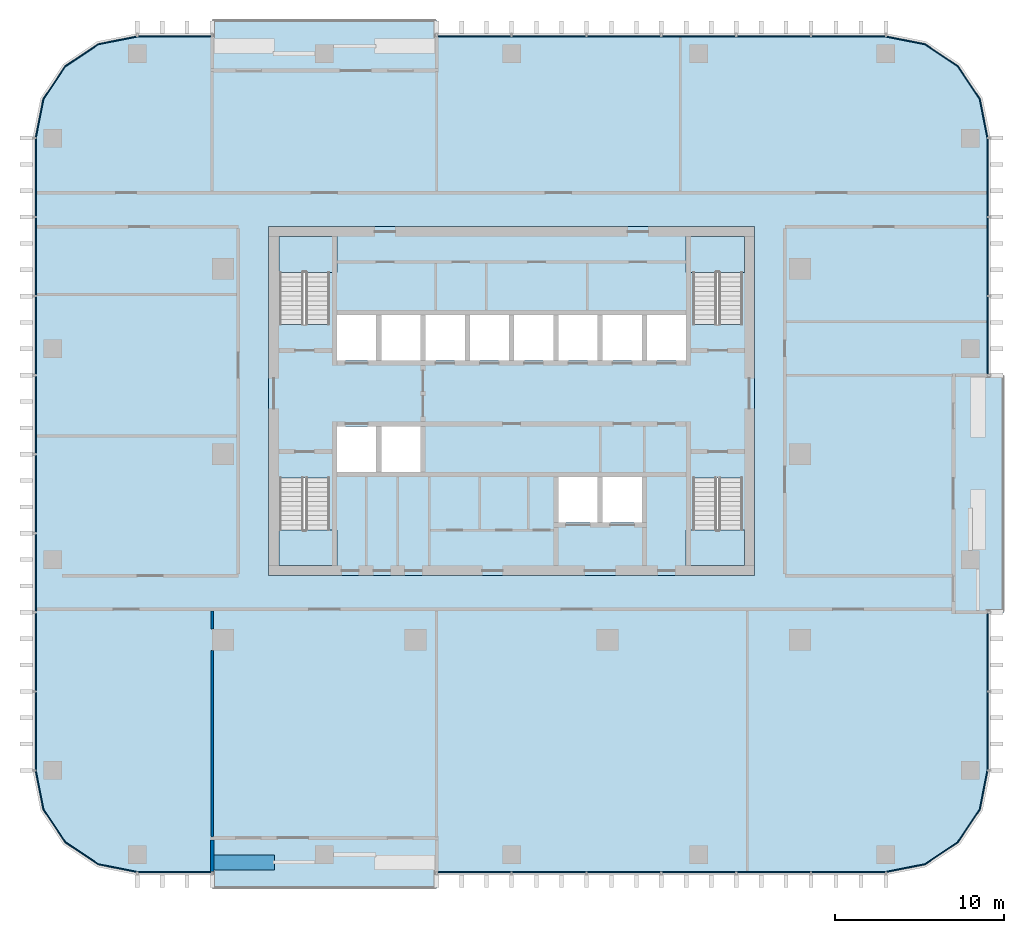
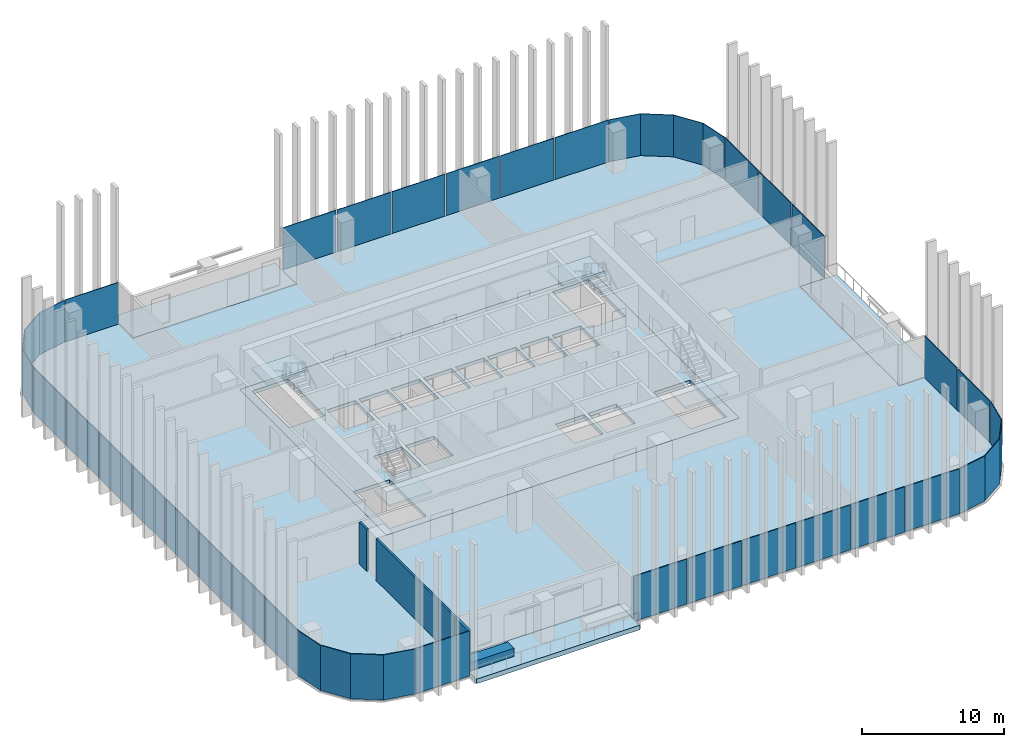
# One storey, part 6 of 15: 31 plates, 9 slabs, 4 walls, 15 elements without a shape of their own.
"""IFC4 building model written with IfcOpenShell, lengths in metres."""

from ifc_helpers import new_model, si_unit, direction, frame, frame_2d, origin, origin_2d, place, context, subcontext, project, spatial, polyline, rectangle, outline, extrude, material, layer, layer_set, type_object, element, aggregate, save


model = new_model("IFC4")

# Units and contexts
model_context = context("Model", 3, precision=1e-05, world=origin(), true_north=direction((0.0, 1.0)))
body_context = subcontext(model_context, "Body", "Model", "MODEL_VIEW")
ifc_project = project(units=[si_unit("LENGTHUNIT", "METRE"), si_unit("AREAUNIT", "SQUARE_METRE"), si_unit("VOLUMEUNIT", "CUBIC_METRE"), si_unit("PLANEANGLEUNIT", "RADIAN"), si_unit("MASSUNIT", "GRAM", prefix="KILO")], contexts=[model_context])

# Site, building, storey
site_placement = place(None, origin())
site = spatial("IfcSite", under=ifc_project, at=site_placement, CompositionType="ELEMENT")
building_placement = place(site_placement, origin())
building = spatial("IfcBuilding", under=site, at=building_placement, Name="Mopane Tessera Tower", CompositionType="ELEMENT")
storey_placement = place(building_placement, frame((0.0, 0.0, 223.0)))
storey = spatial("IfcBuildingStorey", under=building, at=storey_placement, Name="L47", CompositionType="ELEMENT", Elevation=223.0)

# Slab
ifc_material_1 = material(Name="Concrete C40/50", Category="concrete")
ifc_layer_1 = layer(ifc_material_1, 0.300048828125)
ifc_layer_set_1 = layer_set([ifc_layer_1], Name="Concrete C40/50")
slab_type_1 = type_object("IfcSlabType", Name="Core floor slab 300 mm", PredefinedType="FLOOR", material=ifc_layer_set_1)
slab_1_placement = place(storey_placement, frame((0.0, 0.0, -0.300048828125)))
element("IfcSlab", 1, at=slab_1_placement, inside=storey, type_object=slab_type_1, Name="L47 core floor slab", PredefinedType="FLOOR", context=body_context, shape_type="SweptSolid", body=[
    extrude(outline(polyline([(-14.39990234375, -7.199951171875), (14.39990234375, -7.199951171875), (14.39990234375, 13.5), (-14.39990234375, 13.5), (-14.39990234375, -7.199951171875)]), holes=[polyline([(-10.35009765625, -1.050048828125), (-8.02490234375, -1.050048828125), (-8.02490234375, 1.64990234375), (-10.35009765625, 1.64990234375), (-10.35009765625, -1.050048828125)]), polyline([(-7.72509765625, -1.050048828125), (-5.39990234375, -1.050048828125), (-5.39990234375, 1.64990234375), (-7.72509765625, 1.64990234375), (-7.72509765625, -1.050048828125)]), polyline([(-10.35009765625, 5.550048828125), (-8.02490234375, 5.550048828125), (-8.02490234375, 8.25), (-10.35009765625, 8.25), (-10.35009765625, 5.550048828125)]), polyline([(-7.72509765625, 5.550048828125), (-5.39990234375, 5.550048828125), (-5.39990234375, 8.25), (-7.72509765625, 8.25), (-7.72509765625, 5.550048828125)]), polyline([(-5.10009765625, 5.550048828125), (-2.77490234375, 5.550048828125), (-2.77490234375, 8.25), (-5.10009765625, 8.25), (-5.10009765625, 5.550048828125)]), polyline([(-2.47509765625, 5.550048828125), (-0.14990234375, 5.550048828125), (-0.14990234375, 8.25), (-2.47509765625, 8.25), (-2.47509765625, 5.550048828125)]), polyline([(0.14990234375, 5.550048828125), (2.47509765625, 5.550048828125), (2.47509765625, 8.25), (0.14990234375, 8.25), (0.14990234375, 5.550048828125)]), polyline([(2.77490234375, 5.550048828125), (5.10009765625, 5.550048828125), (5.10009765625, 8.25), (2.77490234375, 8.25), (2.77490234375, 5.550048828125)]), polyline([(5.39990234375, 5.550048828125), (7.72509765625, 5.550048828125), (7.72509765625, 8.25), (5.39990234375, 8.25), (5.39990234375, 5.550048828125)]), polyline([(8.02490234375, 5.550048828125), (10.35009765625, 5.550048828125), (10.35009765625, 8.25), (8.02490234375, 8.25), (8.02490234375, 5.550048828125)]), polyline([(2.77490234375, -4.050048828125), (5.10009765625, -4.050048828125), (5.10009765625, -1.35009765625), (2.77490234375, -1.35009765625), (2.77490234375, -4.050048828125)]), polyline([(5.39990234375, -4.050048828125), (7.72509765625, -4.050048828125), (7.72509765625, -1.35009765625), (5.39990234375, -1.35009765625), (5.39990234375, -4.050048828125)]), polyline([(-13.75, -1.405029296875), (-13.75, -6.60009765625), (-10.800048828125, -6.60009765625), (-10.800048828125, -1.405029296875), (-13.75, -1.405029296875)]), polyline([(-10.800048828125, 7.705078125), (-10.800048828125, 12.89990234375), (-13.75, 12.89990234375), (-13.75, 7.705078125), (-10.800048828125, 7.705078125)]), polyline([(10.75, -1.405029296875), (10.75, -6.60009765625), (13.699951171875, -6.60009765625), (13.699951171875, -1.405029296875), (10.75, -1.405029296875)]), polyline([(13.699951171875, 7.705078125), (13.699951171875, 12.89990234375), (10.75, 12.89990234375), (10.75, 7.705078125), (13.699951171875, 7.705078125)])]), origin(), (0.0, 0.0, 1.0), 0.300048828125),
])

# Stair, slab
ifc_material_2 = material(Name="Concrete C50/60", Category="concrete")
stair_type = type_object("IfcStairType", Name="Escape stair 1400 mm, riser 167 mm", PredefinedType="HALF_TURN_STAIR", material=ifc_material_2)
stair_1_placement = place(storey_placement, origin())
stair_1 = element("IfcStair", 2, at=stair_1_placement, inside=storey, type_object=stair_type, Name="L47 Escape stair south-west", PredefinedType="HALF_TURN_STAIR")
ifc_material_3 = material(Name="Concrete C50/60", Category="concrete")
ifc_layer_2 = layer(ifc_material_3, 0.199951171875)
ifc_layer_set_2 = layer_set([ifc_layer_2], Name="Concrete C50/60")
slab_type_2 = type_object("IfcSlabType", Name="Escape stair landing 200 mm", PredefinedType="LANDING", material=ifc_layer_set_2)
slab_2_placement = place(storey_placement, frame((0.0, 0.0, 1.800048828125)))
slab_2 = element("IfcSlab", 3, at=slab_2_placement, type_object=slab_type_2, Name="ST1 landing 1", PredefinedType="LANDING", context=body_context, shape_type="SweptSolid", body=[
    extrude(outline(polyline([(-13.800048828125, -4.47998046875), (-13.800048828125, -6.60009765625), (-10.35009765625, -6.60009765625), (-10.35009765625, -4.47998046875), (-13.800048828125, -4.47998046875)])), origin(), (0.0, 0.0, 1.0), 0.199951171875),
])
aggregate(stair_1, [slab_2])

stair_2_placement = place(storey_placement, origin())
stair_2 = element("IfcStair", 4, at=stair_2_placement, inside=storey, type_object=stair_type, Name="L47 Escape stair north-west", PredefinedType="HALF_TURN_STAIR")
slab_3_placement = place(storey_placement, frame((0.0, 0.0, 1.800048828125)))
slab_3 = element("IfcSlab", 5, at=slab_3_placement, type_object=slab_type_2, Name="ST2 landing 1", PredefinedType="LANDING", context=body_context, shape_type="SweptSolid", body=[
    extrude(outline(polyline([(-10.35009765625, 10.780029296875), (-10.35009765625, 12.89990234375), (-13.800048828125, 12.89990234375), (-13.800048828125, 10.780029296875), (-10.35009765625, 10.780029296875)])), origin(), (0.0, 0.0, 1.0), 0.199951171875),
])
aggregate(stair_2, [slab_3])

stair_3_placement = place(storey_placement, origin())
stair_3 = element("IfcStair", 6, at=stair_3_placement, inside=storey, type_object=stair_type, Name="L47 Escape stair south-east", PredefinedType="HALF_TURN_STAIR")
slab_4_placement = place(storey_placement, frame((0.0, 0.0, 1.800048828125)))
slab_4 = element("IfcSlab", 7, at=slab_4_placement, type_object=slab_type_2, Name="ST3 landing 1", PredefinedType="LANDING", context=body_context, shape_type="SweptSolid", body=[
    extrude(outline(polyline([(10.35009765625, -4.47998046875), (10.35009765625, -6.60009765625), (13.800048828125, -6.60009765625), (13.800048828125, -4.47998046875), (10.35009765625, -4.47998046875)])), origin(), (0.0, 0.0, 1.0), 0.199951171875),
])
aggregate(stair_3, [slab_4])

stair_4_placement = place(storey_placement, origin())
stair_4 = element("IfcStair", 8, at=stair_4_placement, inside=storey, type_object=stair_type, Name="L47 Escape stair north-east", PredefinedType="HALF_TURN_STAIR")
slab_5_placement = place(storey_placement, frame((0.0, 0.0, 1.800048828125)))
slab_5 = element("IfcSlab", 9, at=slab_5_placement, type_object=slab_type_2, Name="ST4 landing 1", PredefinedType="LANDING", context=body_context, shape_type="SweptSolid", body=[
    extrude(outline(polyline([(13.800048828125, 10.780029296875), (13.800048828125, 12.89990234375), (10.35009765625, 12.89990234375), (10.35009765625, 10.780029296875), (13.800048828125, 10.780029296875)])), origin(), (0.0, 0.0, 1.0), 0.199951171875),
])
aggregate(stair_4, [slab_5])

# Slabs
ifc_material_4 = material(Name="Concrete C40/50", Category="concrete")
ifc_layer_3 = layer(ifc_material_4, 0.39990234375)
ifc_layer_set_3 = layer_set([ifc_layer_3], Name="Concrete C40/50")
slab_type_3 = type_object("IfcSlabType", Name="Planted terrace slab 400 mm", PredefinedType="FLOOR", material=ifc_layer_set_3)
slab_6_placement = place(storey_placement, frame((0.0, 0.0, -0.39990234375)))
element("IfcSlab", 10, at=slab_6_placement, inside=storey, type_object=slab_type_3, Name="Terrace slab N1 L47", PredefinedType="FLOOR", context=body_context, shape_type="SweptSolid", body=[
    extrude(outline(polyline([(-4.43994140625, -25.75), (-4.43994140625, -22.75), (-17.760009765625, -22.75), (-17.760009765625, -25.75), (-4.43994140625, -25.75)])), origin(), (0.0, 0.0, 1.0), 0.39990234375),
])
slab_7_placement = place(storey_placement, frame((0.0, 0.0, -0.39990234375)))
element("IfcSlab", 11, at=slab_7_placement, inside=storey, type_object=slab_type_3, Name="Terrace slab N2 L47", PredefinedType="FLOOR", context=body_context, shape_type="SweptSolid", body=[
    extrude(outline(polyline([(29.199951171875, 4.6875), (26.199951171875, 4.6875), (26.199951171875, -9.375), (29.199951171875, -9.375), (29.199951171875, 4.6875)])), origin(), (0.0, 0.0, 1.0), 0.39990234375),
])
slab_8_placement = place(storey_placement, frame((0.0, 0.0, -0.39990234375)))
element("IfcSlab", 12, at=slab_8_placement, inside=storey, type_object=slab_type_3, Name="Terrace slab N3 L47", PredefinedType="FLOOR", context=body_context, shape_type="SweptSolid", body=[
    extrude(outline(polyline([(-17.760009765625, 25.75), (-17.760009765625, 22.75), (-4.43994140625, 22.75), (-4.43994140625, 25.75), (-17.760009765625, 25.75)])), origin(), (0.0, 0.0, 1.0), 0.39990234375),
])
ifc_material_5 = material(Name="Concrete C40/50", Category="concrete")
ifc_layer_4 = layer(ifc_material_5, 0.39990234375)
ifc_layer_set_4 = layer_set([ifc_layer_4], Name="Concrete C40/50")
slab_type_4 = type_object("IfcSlabType", Name="Post-tensioned flat plate 400 mm", PredefinedType="FLOOR", material=ifc_layer_set_4)
slab_9_placement = place(storey_placement, frame((0.0, 0.0, -0.39990234375)))
element("IfcSlab", 13, at=slab_9_placement, inside=storey, type_object=slab_type_4, Name="Floor slab L47", PredefinedType="FLOOR", context=body_context, shape_type="SweptSolid", body=[
    extrude(outline(polyline([(-22.199951171875, -24.75), (-17.760009765625, -24.75), (-17.760009765625, -22.75), (-4.43994140625, -22.75), (-4.43994140625, -24.75), (22.199951171875, -24.75), (24.49609375, -24.293212890625), (26.442626953125, -22.99267578125), (27.7431640625, -21.046142578125), (28.199951171875, -18.75), (28.199951171875, -9.375), (26.199951171875, -9.375), (26.199951171875, 4.6875), (28.199951171875, 4.6875), (28.199951171875, 18.75), (27.7431640625, 21.046142578125), (26.442626953125, 22.99267578125), (24.49609375, 24.293212890625), (22.199951171875, 24.75), (-4.43994140625, 24.75), (-4.43994140625, 22.75), (-17.760009765625, 22.75), (-17.760009765625, 24.75), (-22.199951171875, 24.75), (-24.49609375, 24.293212890625), (-26.442626953125, 22.99267578125), (-27.7431640625, 21.046142578125), (-28.199951171875, 18.75), (-28.199951171875, -18.75), (-27.7431640625, -21.046142578125), (-26.442626953125, -22.99267578125), (-24.49609375, -24.293212890625), (-22.199951171875, -24.75)]), holes=[polyline([(14.39990234375, -7.199951171875), (-14.39990234375, -7.199951171875), (-14.39990234375, 13.5), (14.39990234375, 13.5), (14.39990234375, -7.199951171875)])]), origin(), (0.0, 0.0, 1.0), 0.39990234375),
])

# Curtain wall, plate
ifc_material_6 = material(Name="Aluminium frame", Category="aluminium")
curtain_wall_type = type_object("IfcCurtainWallType", Name="Unitised curtain wall", PredefinedType="NOTDEFINED", material=ifc_material_6)
curtain_wall_1_placement = place(storey_placement, origin())
curtain_wall_1 = element("IfcCurtainWall", 14, at=curtain_wall_1_placement, inside=storey, type_object=curtain_wall_type, Name="e:cw:L47:S:0", PredefinedType="NOTDEFINED")
ifc_material_7 = material(Name="Clear laminated glass", Category="glass")
ifc_layer_5 = layer(ifc_material_7, 0.06005859375)
ifc_layer_set_5 = layer_set([ifc_layer_5], Name="Clear laminated glass")
plate_type = type_object("IfcPlateType", Name="Unitised glazed unit", PredefinedType="CURTAIN_PANEL", material=ifc_layer_set_5)
plate_1_placement = place(storey_placement, frame((-19.97998046875, -24.780029296875, -0.280029296875), z_axis=(0.0, 0.0, 1.0), x_axis=(1.0, 0.0, 0.0)))
plate_1 = element("IfcPlate", 15, at=plate_1_placement, type_object=plate_type, Name="e:cw:L47:S:0:pn0", PredefinedType="CURTAIN_PANEL", context=body_context, shape_type="SweptSolid", body=[
    extrude(rectangle(XDim=4.340087890625, YDim=0.06005859375, at=origin_2d()), origin(), (0.0, 0.0, 1.0), 3.8798828125),
])
aggregate(curtain_wall_1, [plate_1])

# Curtain wall, plates
curtain_wall_2_placement = place(storey_placement, origin())
curtain_wall_2 = element("IfcCurtainWall", 16, at=curtain_wall_2_placement, inside=storey, type_object=curtain_wall_type, Name="e:cw:L47:S:4", PredefinedType="NOTDEFINED")
plate_2_placement = place(storey_placement, frame((-2.219970703125, -24.780029296875, -0.280029296875), z_axis=(0.0, 0.0, 1.0), x_axis=(1.0, 0.0, 0.0)))
plate_2 = element("IfcPlate", 17, at=plate_2_placement, type_object=plate_type, Name="e:cw:L47:S:4:pn4", PredefinedType="CURTAIN_PANEL", context=body_context, shape_type="SweptSolid", body=[
    extrude(rectangle(XDim=4.340087890625, YDim=0.06005859375, at=origin_2d()), origin(), (0.0, 0.0, 1.0), 3.8798828125),
])
plate_3_placement = place(storey_placement, frame((2.219970703125, -24.780029296875, -0.280029296875), z_axis=(0.0, 0.0, 1.0), x_axis=(1.0, 0.0, 0.0)))
plate_3 = element("IfcPlate", 18, at=plate_3_placement, type_object=plate_type, Name="e:cw:L47:S:4:pn5", PredefinedType="CURTAIN_PANEL", context=body_context, shape_type="SweptSolid", body=[
    extrude(rectangle(XDim=4.340087890625, YDim=0.06005859375, at=origin_2d()), origin(), (0.0, 0.0, 1.0), 3.8798828125),
])
plate_4_placement = place(storey_placement, frame((6.659912109375, -24.780029296875, -0.280029296875), z_axis=(0.0, 0.0, 1.0), x_axis=(1.0, 0.0, 0.0)))
plate_4 = element("IfcPlate", 19, at=plate_4_placement, type_object=plate_type, Name="e:cw:L47:S:4:pn6", PredefinedType="CURTAIN_PANEL", context=body_context, shape_type="SweptSolid", body=[
    extrude(rectangle(XDim=4.340087890625, YDim=0.06005859375, at=origin_2d()), origin(), (0.0, 0.0, 1.0), 3.8798828125),
])
plate_5_placement = place(storey_placement, frame((11.10009765625, -24.780029296875, -0.280029296875), z_axis=(0.0, 0.0, 1.0), x_axis=(1.0, 0.0, 0.0)))
plate_5 = element("IfcPlate", 20, at=plate_5_placement, type_object=plate_type, Name="e:cw:L47:S:4:pn7", PredefinedType="CURTAIN_PANEL", context=body_context, shape_type="SweptSolid", body=[
    extrude(rectangle(XDim=4.340087890625, YDim=0.06005859375, at=origin_2d()), origin(), (0.0, 0.0, 1.0), 3.8798828125),
])
plate_6_placement = place(storey_placement, frame((15.5400390625, -24.780029296875, -0.280029296875), z_axis=(0.0, 0.0, 1.0), x_axis=(1.0, 0.0, 0.0)))
plate_6 = element("IfcPlate", 21, at=plate_6_placement, type_object=plate_type, Name="e:cw:L47:S:4:pn8", PredefinedType="CURTAIN_PANEL", context=body_context, shape_type="SweptSolid", body=[
    extrude(rectangle(XDim=4.340087890625, YDim=0.06005859375, at=origin_2d()), origin(), (0.0, 0.0, 1.0), 3.8798828125),
])
plate_7_placement = place(storey_placement, frame((19.97998046875, -24.780029296875, -0.280029296875), z_axis=(0.0, 0.0, 1.0), x_axis=(1.0, 0.0, 0.0)))
plate_7 = element("IfcPlate", 22, at=plate_7_placement, type_object=plate_type, Name="e:cw:L47:S:4:pn9", PredefinedType="CURTAIN_PANEL", context=body_context, shape_type="SweptSolid", body=[
    extrude(rectangle(XDim=4.340087890625, YDim=0.06005859375, at=origin_2d()), origin(), (0.0, 0.0, 1.0), 3.8798828125),
])
aggregate(curtain_wall_2, [plate_2, plate_3, plate_4, plate_5, plate_6, plate_7])

# Curtain wall, plate
curtain_wall_3_placement = place(storey_placement, origin())
curtain_wall_3 = element("IfcCurtainWall", 23, at=curtain_wall_3_placement, inside=storey, type_object=curtain_wall_type, Name="e:cw:L47:CS", PredefinedType="NOTDEFINED")
plate_8_placement = place(storey_placement, frame((0.0, 0.0, -0.280029296875)))
plate_8 = element("IfcPlate", 24, at=plate_8_placement, type_object=plate_type, Name="e:cw:L47:CS:pn", PredefinedType="CURTAIN_PANEL", context=body_context, shape_type="SweptSolid", body=[
    extrude(outline(polyline([(22.199951171875, -24.75), (24.49609375, -24.293212890625), (26.442626953125, -22.99267578125), (27.7431640625, -21.046142578125), (28.199951171875, -18.75), (28.260009765625, -18.75), (27.798828125, -21.069091796875), (26.485107421875, -23.03515625), (24.51904296875, -24.3486328125), (22.199951171875, -24.81005859375), (22.199951171875, -24.75)])), origin(), (0.0, 0.0, 1.0), 3.880126953125),
])
aggregate(curtain_wall_3, [plate_8])

# Curtain wall, plates
curtain_wall_4_placement = place(storey_placement, origin())
curtain_wall_4 = element("IfcCurtainWall", 25, at=curtain_wall_4_placement, inside=storey, type_object=curtain_wall_type, Name="e:cw:L47:E:0", PredefinedType="NOTDEFINED")
plate_9_placement = place(storey_placement, frame((28.22998046875, -16.40625, -0.280029296875), z_axis=(0.0, 0.0, 1.0), x_axis=(0.0, 1.0, 0.0)))
plate_9 = element("IfcPlate", 26, at=plate_9_placement, type_object=plate_type, Name="e:cw:L47:E:0:pn0", PredefinedType="CURTAIN_PANEL", context=body_context, shape_type="SweptSolid", body=[
    extrude(rectangle(XDim=4.58740234375, YDim=0.06005859375, at=origin_2d()), origin(), (0.0, 0.0, 1.0), 3.8798828125),
])
plate_10_placement = place(storey_placement, frame((28.22998046875, -11.71875, -0.280029296875), z_axis=(0.0, 0.0, 1.0), x_axis=(0.0, 1.0, 0.0)))
plate_10 = element("IfcPlate", 27, at=plate_10_placement, type_object=plate_type, Name="e:cw:L47:E:0:pn1", PredefinedType="CURTAIN_PANEL", context=body_context, shape_type="SweptSolid", body=[
    extrude(rectangle(XDim=4.58740234375, YDim=0.06005859375, at=origin_2d()), origin(), (0.0, 0.0, 1.0), 3.8798828125),
])
aggregate(curtain_wall_4, [plate_9, plate_10])

curtain_wall_5_placement = place(storey_placement, origin())
curtain_wall_5 = element("IfcCurtainWall", 28, at=curtain_wall_5_placement, inside=storey, type_object=curtain_wall_type, Name="e:cw:L47:E:5", PredefinedType="NOTDEFINED")
plate_11_placement = place(storey_placement, frame((28.22998046875, 7.03125, -0.280029296875), z_axis=(0.0, 0.0, 1.0), x_axis=(0.0, 1.0, 0.0)))
plate_11 = element("IfcPlate", 29, at=plate_11_placement, type_object=plate_type, Name="e:cw:L47:E:5:pn5", PredefinedType="CURTAIN_PANEL", context=body_context, shape_type="SweptSolid", body=[
    extrude(rectangle(XDim=4.58740234375, YDim=0.06005859375, at=origin_2d()), origin(), (0.0, 0.0, 1.0), 3.8798828125),
])
plate_12_placement = place(storey_placement, frame((28.22998046875, 11.71875, -0.280029296875), z_axis=(0.0, 0.0, 1.0), x_axis=(0.0, 1.0, 0.0)))
plate_12 = element("IfcPlate", 30, at=plate_12_placement, type_object=plate_type, Name="e:cw:L47:E:5:pn6", PredefinedType="CURTAIN_PANEL", context=body_context, shape_type="SweptSolid", body=[
    extrude(rectangle(XDim=4.58740234375, YDim=0.06005859375, at=origin_2d()), origin(), (0.0, 0.0, 1.0), 3.8798828125),
])
plate_13_placement = place(storey_placement, frame((28.22998046875, 16.40625, -0.280029296875), z_axis=(0.0, 0.0, 1.0), x_axis=(0.0, 1.0, 0.0)))
plate_13 = element("IfcPlate", 31, at=plate_13_placement, type_object=plate_type, Name="e:cw:L47:E:5:pn7", PredefinedType="CURTAIN_PANEL", context=body_context, shape_type="SweptSolid", body=[
    extrude(rectangle(XDim=4.58740234375, YDim=0.06005859375, at=origin_2d()), origin(), (0.0, 0.0, 1.0), 3.8798828125),
])
aggregate(curtain_wall_5, [plate_11, plate_12, plate_13])

# Curtain wall, plate
curtain_wall_6_placement = place(storey_placement, origin())
curtain_wall_6 = element("IfcCurtainWall", 32, at=curtain_wall_6_placement, inside=storey, type_object=curtain_wall_type, Name="e:cw:L47:CE", PredefinedType="NOTDEFINED")
plate_14_placement = place(storey_placement, frame((0.0, 0.0, -0.280029296875)))
plate_14 = element("IfcPlate", 33, at=plate_14_placement, type_object=plate_type, Name="e:cw:L47:CE:pn", PredefinedType="CURTAIN_PANEL", context=body_context, shape_type="SweptSolid", body=[
    extrude(outline(polyline([(28.199951171875, 18.75), (27.7431640625, 21.046142578125), (26.442626953125, 22.99267578125), (24.49609375, 24.293212890625), (22.199951171875, 24.75), (22.199951171875, 24.81005859375), (24.51904296875, 24.3486328125), (26.485107421875, 23.03515625), (27.798828125, 21.069091796875), (28.260009765625, 18.75), (28.199951171875, 18.75)])), origin(), (0.0, 0.0, 1.0), 3.880126953125),
])
aggregate(curtain_wall_6, [plate_14])

# Curtain wall, plates
curtain_wall_7_placement = place(storey_placement, origin())
curtain_wall_7 = element("IfcCurtainWall", 34, at=curtain_wall_7_placement, inside=storey, type_object=curtain_wall_type, Name="e:cw:L47:N:0", PredefinedType="NOTDEFINED")
plate_15_placement = place(storey_placement, frame((19.97998046875, 24.780029296875, -0.280029296875), z_axis=(0.0, 0.0, 1.0), x_axis=(-1.0, 0.0, 0.0)))
plate_15 = element("IfcPlate", 35, at=plate_15_placement, type_object=plate_type, Name="e:cw:L47:N:0:pn0", PredefinedType="CURTAIN_PANEL", context=body_context, shape_type="SweptSolid", body=[
    extrude(rectangle(XDim=4.340087890625, YDim=0.06005859375, at=origin_2d()), origin(), (0.0, 0.0, 1.0), 3.8798828125),
])
plate_16_placement = place(storey_placement, frame((15.5400390625, 24.780029296875, -0.280029296875), z_axis=(0.0, 0.0, 1.0), x_axis=(-1.0, 0.0, 0.0)))
plate_16 = element("IfcPlate", 36, at=plate_16_placement, type_object=plate_type, Name="e:cw:L47:N:0:pn1", PredefinedType="CURTAIN_PANEL", context=body_context, shape_type="SweptSolid", body=[
    extrude(rectangle(XDim=4.340087890625, YDim=0.06005859375, at=origin_2d()), origin(), (0.0, 0.0, 1.0), 3.8798828125),
])
plate_17_placement = place(storey_placement, frame((11.10009765625, 24.780029296875, -0.280029296875), z_axis=(0.0, 0.0, 1.0), x_axis=(-1.0, 0.0, 0.0)))
plate_17 = element("IfcPlate", 37, at=plate_17_placement, type_object=plate_type, Name="e:cw:L47:N:0:pn2", PredefinedType="CURTAIN_PANEL", context=body_context, shape_type="SweptSolid", body=[
    extrude(rectangle(XDim=4.340087890625, YDim=0.06005859375, at=origin_2d()), origin(), (0.0, 0.0, 1.0), 3.8798828125),
])
plate_18_placement = place(storey_placement, frame((6.659912109375, 24.780029296875, -0.280029296875), z_axis=(0.0, 0.0, 1.0), x_axis=(-1.0, 0.0, 0.0)))
plate_18 = element("IfcPlate", 38, at=plate_18_placement, type_object=plate_type, Name="e:cw:L47:N:0:pn3", PredefinedType="CURTAIN_PANEL", context=body_context, shape_type="SweptSolid", body=[
    extrude(rectangle(XDim=4.340087890625, YDim=0.06005859375, at=origin_2d()), origin(), (0.0, 0.0, 1.0), 3.8798828125),
])
plate_19_placement = place(storey_placement, frame((2.219970703125, 24.780029296875, -0.280029296875), z_axis=(0.0, 0.0, 1.0), x_axis=(-1.0, 0.0, 0.0)))
plate_19 = element("IfcPlate", 39, at=plate_19_placement, type_object=plate_type, Name="e:cw:L47:N:0:pn4", PredefinedType="CURTAIN_PANEL", context=body_context, shape_type="SweptSolid", body=[
    extrude(rectangle(XDim=4.340087890625, YDim=0.06005859375, at=origin_2d()), origin(), (0.0, 0.0, 1.0), 3.8798828125),
])
plate_20_placement = place(storey_placement, frame((-2.219970703125, 24.780029296875, -0.280029296875), z_axis=(0.0, 0.0, 1.0), x_axis=(-1.0, 0.0, 0.0)))
plate_20 = element("IfcPlate", 40, at=plate_20_placement, type_object=plate_type, Name="e:cw:L47:N:0:pn5", PredefinedType="CURTAIN_PANEL", context=body_context, shape_type="SweptSolid", body=[
    extrude(rectangle(XDim=4.340087890625, YDim=0.06005859375, at=origin_2d()), origin(), (0.0, 0.0, 1.0), 3.8798828125),
])
aggregate(curtain_wall_7, [plate_15, plate_16, plate_17, plate_18, plate_19, plate_20])

# Curtain wall, plate
curtain_wall_8_placement = place(storey_placement, origin())
curtain_wall_8 = element("IfcCurtainWall", 41, at=curtain_wall_8_placement, inside=storey, type_object=curtain_wall_type, Name="e:cw:L47:N:9", PredefinedType="NOTDEFINED")
plate_21_placement = place(storey_placement, frame((-19.97998046875, 24.780029296875, -0.280029296875), z_axis=(0.0, 0.0, 1.0), x_axis=(-1.0, 0.0, 0.0)))
plate_21 = element("IfcPlate", 42, at=plate_21_placement, type_object=plate_type, Name="e:cw:L47:N:9:pn9", PredefinedType="CURTAIN_PANEL", context=body_context, shape_type="SweptSolid", body=[
    extrude(rectangle(XDim=4.340087890625, YDim=0.06005859375, at=origin_2d()), origin(), (0.0, 0.0, 1.0), 3.8798828125),
])
aggregate(curtain_wall_8, [plate_21])

curtain_wall_9_placement = place(storey_placement, origin())
curtain_wall_9 = element("IfcCurtainWall", 43, at=curtain_wall_9_placement, inside=storey, type_object=curtain_wall_type, Name="e:cw:L47:CN", PredefinedType="NOTDEFINED")
plate_22_placement = place(storey_placement, frame((0.0, 0.0, -0.280029296875)))
plate_22 = element("IfcPlate", 44, at=plate_22_placement, type_object=plate_type, Name="e:cw:L47:CN:pn", PredefinedType="CURTAIN_PANEL", context=body_context, shape_type="SweptSolid", body=[
    extrude(outline(polyline([(-22.199951171875, 24.75), (-24.49609375, 24.293212890625), (-26.442626953125, 22.99267578125), (-27.7431640625, 21.046142578125), (-28.199951171875, 18.75), (-28.260009765625, 18.75), (-27.798828125, 21.069091796875), (-26.485107421875, 23.03515625), (-24.51904296875, 24.3486328125), (-22.199951171875, 24.81005859375), (-22.199951171875, 24.75)])), origin(), (0.0, 0.0, 1.0), 3.880126953125),
])
aggregate(curtain_wall_9, [plate_22])

# Curtain wall, plates
curtain_wall_10_placement = place(storey_placement, origin())
curtain_wall_10 = element("IfcCurtainWall", 45, at=curtain_wall_10_placement, inside=storey, type_object=curtain_wall_type, Name="e:cw:L47:W:0", PredefinedType="NOTDEFINED")
plate_23_placement = place(storey_placement, frame((-28.22998046875, 16.40625, -0.280029296875), z_axis=(0.0, 0.0, 1.0), x_axis=(0.0, -1.0, 0.0)))
plate_23 = element("IfcPlate", 46, at=plate_23_placement, type_object=plate_type, Name="e:cw:L47:W:0:pn0", PredefinedType="CURTAIN_PANEL", context=body_context, shape_type="SweptSolid", body=[
    extrude(rectangle(XDim=4.58740234375, YDim=0.06005859375, at=origin_2d()), origin(), (0.0, 0.0, 1.0), 3.8798828125),
])
plate_24_placement = place(storey_placement, frame((-28.22998046875, 11.71875, -0.280029296875), z_axis=(0.0, 0.0, 1.0), x_axis=(0.0, -1.0, 0.0)))
plate_24 = element("IfcPlate", 47, at=plate_24_placement, type_object=plate_type, Name="e:cw:L47:W:0:pn1", PredefinedType="CURTAIN_PANEL", context=body_context, shape_type="SweptSolid", body=[
    extrude(rectangle(XDim=4.58740234375, YDim=0.06005859375, at=origin_2d()), origin(), (0.0, 0.0, 1.0), 3.8798828125),
])
plate_25_placement = place(storey_placement, frame((-28.22998046875, 7.03125, -0.280029296875), z_axis=(0.0, 0.0, 1.0), x_axis=(0.0, -1.0, 0.0)))
plate_25 = element("IfcPlate", 48, at=plate_25_placement, type_object=plate_type, Name="e:cw:L47:W:0:pn2", PredefinedType="CURTAIN_PANEL", context=body_context, shape_type="SweptSolid", body=[
    extrude(rectangle(XDim=4.58740234375, YDim=0.06005859375, at=origin_2d()), origin(), (0.0, 0.0, 1.0), 3.8798828125),
])
plate_26_placement = place(storey_placement, frame((-28.22998046875, 2.34375, -0.280029296875), z_axis=(0.0, 0.0, 1.0), x_axis=(0.0, -1.0, 0.0)))
plate_26 = element("IfcPlate", 49, at=plate_26_placement, type_object=plate_type, Name="e:cw:L47:W:0:pn3", PredefinedType="CURTAIN_PANEL", context=body_context, shape_type="SweptSolid", body=[
    extrude(rectangle(XDim=4.58740234375, YDim=0.06005859375, at=origin_2d()), origin(), (0.0, 0.0, 1.0), 3.8798828125),
])
plate_27_placement = place(storey_placement, frame((-28.22998046875, -2.34375, -0.280029296875), z_axis=(0.0, 0.0, 1.0), x_axis=(0.0, -1.0, 0.0)))
plate_27 = element("IfcPlate", 50, at=plate_27_placement, type_object=plate_type, Name="e:cw:L47:W:0:pn4", PredefinedType="CURTAIN_PANEL", context=body_context, shape_type="SweptSolid", body=[
    extrude(rectangle(XDim=4.58740234375, YDim=0.06005859375, at=origin_2d()), origin(), (0.0, 0.0, 1.0), 3.8798828125),
])
plate_28_placement = place(storey_placement, frame((-28.22998046875, -7.03125, -0.280029296875), z_axis=(0.0, 0.0, 1.0), x_axis=(0.0, -1.0, 0.0)))
plate_28 = element("IfcPlate", 51, at=plate_28_placement, type_object=plate_type, Name="e:cw:L47:W:0:pn5", PredefinedType="CURTAIN_PANEL", context=body_context, shape_type="SweptSolid", body=[
    extrude(rectangle(XDim=4.58740234375, YDim=0.06005859375, at=origin_2d()), origin(), (0.0, 0.0, 1.0), 3.8798828125),
])
plate_29_placement = place(storey_placement, frame((-28.22998046875, -11.71875, -0.280029296875), z_axis=(0.0, 0.0, 1.0), x_axis=(0.0, -1.0, 0.0)))
plate_29 = element("IfcPlate", 52, at=plate_29_placement, type_object=plate_type, Name="e:cw:L47:W:0:pn6", PredefinedType="CURTAIN_PANEL", context=body_context, shape_type="SweptSolid", body=[
    extrude(rectangle(XDim=4.58740234375, YDim=0.06005859375, at=origin_2d()), origin(), (0.0, 0.0, 1.0), 3.8798828125),
])
plate_30_placement = place(storey_placement, frame((-28.22998046875, -16.40625, -0.280029296875), z_axis=(0.0, 0.0, 1.0), x_axis=(0.0, -1.0, 0.0)))
plate_30 = element("IfcPlate", 53, at=plate_30_placement, type_object=plate_type, Name="e:cw:L47:W:0:pn7", PredefinedType="CURTAIN_PANEL", context=body_context, shape_type="SweptSolid", body=[
    extrude(rectangle(XDim=4.58740234375, YDim=0.06005859375, at=origin_2d()), origin(), (0.0, 0.0, 1.0), 3.8798828125),
])
aggregate(curtain_wall_10, [plate_23, plate_24, plate_25, plate_26, plate_27, plate_28, plate_29, plate_30])

# Curtain wall, plate
curtain_wall_11_placement = place(storey_placement, origin())
curtain_wall_11 = element("IfcCurtainWall", 54, at=curtain_wall_11_placement, inside=storey, type_object=curtain_wall_type, Name="e:cw:L47:CW", PredefinedType="NOTDEFINED")
plate_31_placement = place(storey_placement, frame((0.0, 0.0, -0.280029296875)))
plate_31 = element("IfcPlate", 55, at=plate_31_placement, type_object=plate_type, Name="e:cw:L47:CW:pn", PredefinedType="CURTAIN_PANEL", context=body_context, shape_type="SweptSolid", body=[
    extrude(outline(polyline([(-28.199951171875, -18.75), (-27.7431640625, -21.046142578125), (-26.442626953125, -22.99267578125), (-24.49609375, -24.293212890625), (-22.199951171875, -24.75), (-22.199951171875, -24.81005859375), (-24.51904296875, -24.3486328125), (-26.485107421875, -23.03515625), (-27.798828125, -21.069091796875), (-28.260009765625, -18.75), (-28.199951171875, -18.75)])), origin(), (0.0, 0.0, 1.0), 3.880126953125),
])
aggregate(curtain_wall_11, [plate_31])

# Walls
ifc_material_8 = material(Name="Gypsum board on steel studs, mineral wool infill", Category="steel")
ifc_layer_6 = layer(ifc_material_8, 0.14990234375)
ifc_layer_set_6 = layer_set([ifc_layer_6], Name="Gypsum board on steel studs, mineral wool infill")
wall_type_1 = type_object("IfcWallType", Name="Gypsum board partition 150, rated EI 60", PredefinedType="PARTITIONING", material=ifc_layer_set_6)
wall_1_placement = place(storey_placement, frame((-17.760009765625, -22.699951171875, 0.0), z_axis=(0.0, 0.0, 1.0), x_axis=(0.0, 1.0, 0.0)))
element("IfcWall", 56, at=wall_1_placement, inside=storey, type_object=wall_type_1, Name="Partition L47:010", PredefinedType="PARTITIONING", context=body_context, shape_type="SweptSolid", body=[
    extrude(rectangle(XDim=11.050048828125, YDim=0.14990234375, at=frame_2d((5.52490234375, 0.0))), origin(), (0.0, 0.0, 1.0), 3.60009765625),
])
wall_2_placement = place(storey_placement, frame((-17.760009765625, -10.35009765625, 0.0), z_axis=(0.0, 0.0, 1.0), x_axis=(0.0, 1.0, 0.0)))
element("IfcWall", 57, at=wall_2_placement, inside=storey, type_object=wall_type_1, Name="Partition L47:011", PredefinedType="PARTITIONING", context=body_context, shape_type="SweptSolid", body=[
    extrude(rectangle(XDim=1.050048828125, YDim=0.14990234375, at=frame_2d((0.52490234375, 0.0))), origin(), (0.0, 0.0, 1.0), 3.60009765625),
])
ifc_material_9 = material(Name="Reinforced concrete C32/40 with waterproofing", Category="concrete")
ifc_layer_7 = layer(ifc_material_9, 0.89990234375)
ifc_layer_set_7 = layer_set([ifc_layer_7], Name="Reinforced concrete C32/40 with waterproofing")
wall_type_2 = type_object("IfcWallType", Name="Planter trough 3600 x 900", PredefinedType="STANDARD", material=ifc_layer_set_7)
wall_3_placement = place(storey_placement, frame((-17.659912109375, -24.199951171875, 0.0), z_axis=(0.0, 0.0, 1.0), x_axis=(1.0, 0.0, 0.0)))
element("IfcWall", 58, at=wall_3_placement, inside=storey, type_object=wall_type_2, Name="e:nw:L47:N1:pl0", PredefinedType="STANDARD", context=body_context, shape_type="SweptSolid", body=[
    extrude(rectangle(XDim=3.599853515625, YDim=0.89990234375, at=frame_2d((1.7998046875, 0.0))), origin(), (0.0, 0.0, 1.0), 0.699951171875),
])
ifc_material_10 = material(Name="Blockwork with glazed tile facing", Category="masonry")
ifc_layer_8 = layer(ifc_material_10, 0.199951171875)
ifc_layer_set_8 = layer_set([ifc_layer_8], Name="Blockwork with glazed tile facing")
wall_type_3 = type_object("IfcWallType", Name="Terrace cheek wall 200", PredefinedType="STANDARD", material=ifc_layer_set_8)
wall_4_placement = place(storey_placement, frame((-17.760009765625, -24.75, 0.0), z_axis=(0.0, 0.0, 1.0), x_axis=(0.0, 1.0, 0.0)))
element("IfcWall", 59, at=wall_4_placement, inside=storey, type_object=wall_type_3, Name="e:nw:L47:N1:cheeka", PredefinedType="STANDARD", context=body_context, shape_type="SweptSolid", body=[
    extrude(rectangle(XDim=1.875, YDim=0.199951171875, at=frame_2d((0.9375, 0.0))), origin(), (0.0, 0.0, 1.0), 3.60009765625),
])

save(model, "model.ifc")
